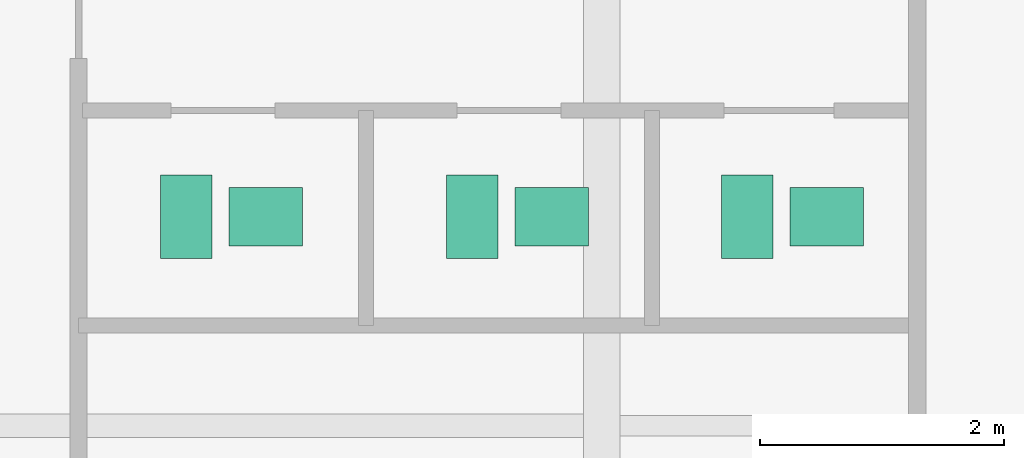
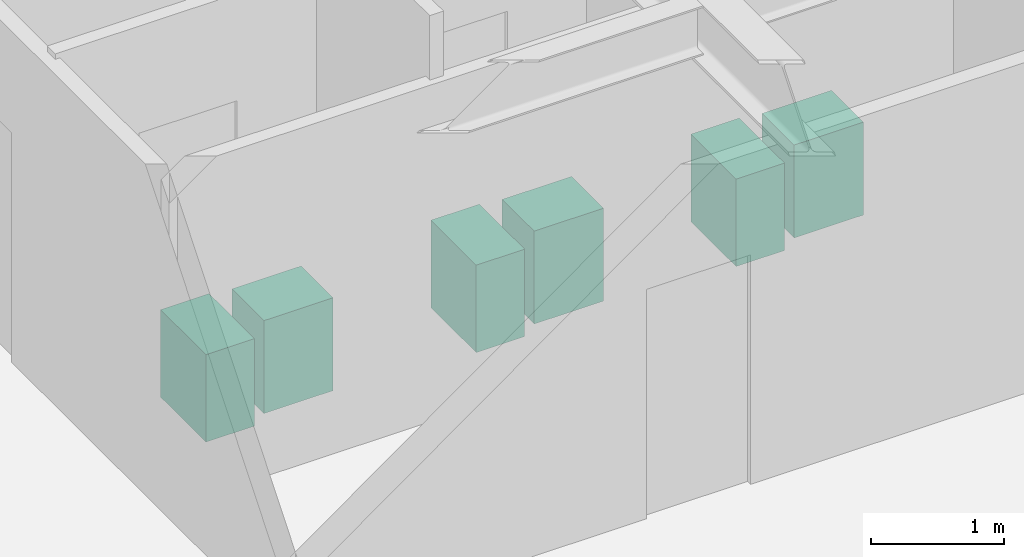
# One storey, part 25 of 25: 6 sanitary terminals.
"""IFC4 building model written with IfcOpenShell, lengths in metres."""

from ifc_helpers import new_model, si_unit, direction, frame, origin, origin_2d, place, context, subcontext, project, spatial, rectangle, extrude, source, transform, mapped, material, type_object, type_shapes, element, save


model = new_model("IFC4")

# Units and contexts
model_context = context("Model", 3, precision=1e-05, world=origin(), true_north=direction((0.0, 1.0)))
body_context = subcontext(model_context, "Body", "Model", "MODEL_VIEW")
ifc_project = project(units=[si_unit("LENGTHUNIT", "METRE"), si_unit("AREAUNIT", "SQUARE_METRE"), si_unit("VOLUMEUNIT", "CUBIC_METRE"), si_unit("PLANEANGLEUNIT", "RADIAN"), si_unit("MASSUNIT", "GRAM", prefix="KILO")], contexts=[model_context])

# Site, building, storey
site_placement = place(None, origin())
site = spatial("IfcSite", under=ifc_project, at=site_placement, CompositionType="ELEMENT")
building_placement = place(site_placement, origin())
building = spatial("IfcBuilding", under=site, at=building_placement, Name="Krantzveldt Concourse Tower", CompositionType="ELEMENT")
storey_placement = place(building_placement, frame((0.0, 0.0, 177.800048828125)))
storey = spatial("IfcBuildingStorey", under=building, at=storey_placement, Name="L43", CompositionType="ELEMENT", Elevation=177.800048828125)

# Sanitary terminals
ifc_material = material(Name="Vitreous china", Category="ceramic")
sanitary_terminal_type_1 = type_object("IfcSanitaryTerminalType", Name="SAN-WC-SUITE", PredefinedType="TOILETPAN", material=ifc_material)
shared_shape_1 = source(origin(), body_context, "Body", "SweptSolid", [
    extrude(rectangle(XDim=0.419921875, YDim=0.679931640625, at=origin_2d()), origin(), (0.0, 0.0, 1.0), 0.800048828125),
])
type_shapes(sanitary_terminal_type_1, [shared_shape_1])
for number, where, z_axis, x_axis, name in (
    (1, (38.0, 31.909912109375, 0.0), (0.0, 0.0, 1.0), (1.0, 0.0, 0.0), "WC-SP-L43-WCM"),
    (2, (40.340087890625, 31.909912109375, 0.0), (0.0, 0.0, 1.0), (1.0, 0.0, 0.0), "WC-SP-L43-WCF"),
    (3, (42.590087890625, 31.909912109375, 0.0), (0.0, 0.0, 1.0), (1.0, 0.0, 0.0), "WC-SP-L43-WCA"),
):
    element("IfcSanitaryTerminal", number, at=place(storey_placement, frame(where, z_axis=z_axis, x_axis=x_axis)), inside=storey, type_object=sanitary_terminal_type_1, Name=name, PredefinedType="TOILETPAN", context=body_context, shape_type="MappedRepresentation", body=[
        mapped(shared_shape_1, transform((0.0, 0.0, 0.0), x_axis=(1.0, 0.0, 0.0), y_axis=(0.0, 1.0, 0.0), z_axis=(0.0, 0.0, 1.0), scale=1.0)),
    ])
sanitary_terminal_type_2 = type_object("IfcSanitaryTerminalType", Name="SAN-BASIN-600", PredefinedType="WASHHANDBASIN", material=ifc_material)
shared_shape_2 = source(origin(), body_context, "Body", "SweptSolid", [
    extrude(rectangle(XDim=0.60009765625, YDim=0.47998046875, at=origin_2d()), origin(), (0.0, 0.0, 1.0), 0.85009765625),
])
type_shapes(sanitary_terminal_type_2, [shared_shape_2])
for number, where, z_axis, x_axis, name in (
    (4, (38.64990234375, 31.909912109375, 0.0048828125), (0.0, 0.0, 1.0), (1.0, 0.0, 0.0), "BSN-SP-L43-WCM"),
    (5, (40.989990234375, 31.909912109375, 0.0048828125), (0.0, 0.0, 1.0), (1.0, 0.0, 0.0), "BSN-SP-L43-WCF"),
    (6, (43.239990234375, 31.909912109375, 0.0048828125), (0.0, 0.0, 1.0), (1.0, 0.0, 0.0), "BSN-SP-L43-WCA"),
):
    element("IfcSanitaryTerminal", number, at=place(storey_placement, frame(where, z_axis=z_axis, x_axis=x_axis)), inside=storey, type_object=sanitary_terminal_type_2, Name=name, PredefinedType="WASHHANDBASIN", context=body_context, shape_type="MappedRepresentation", body=[
        mapped(shared_shape_2, transform((0.0, 0.0, 0.0), x_axis=(1.0, 0.0, 0.0), y_axis=(0.0, 1.0, 0.0), z_axis=(0.0, 0.0, 1.0), scale=1.0)),
    ])

save(model, "model.ifc")
